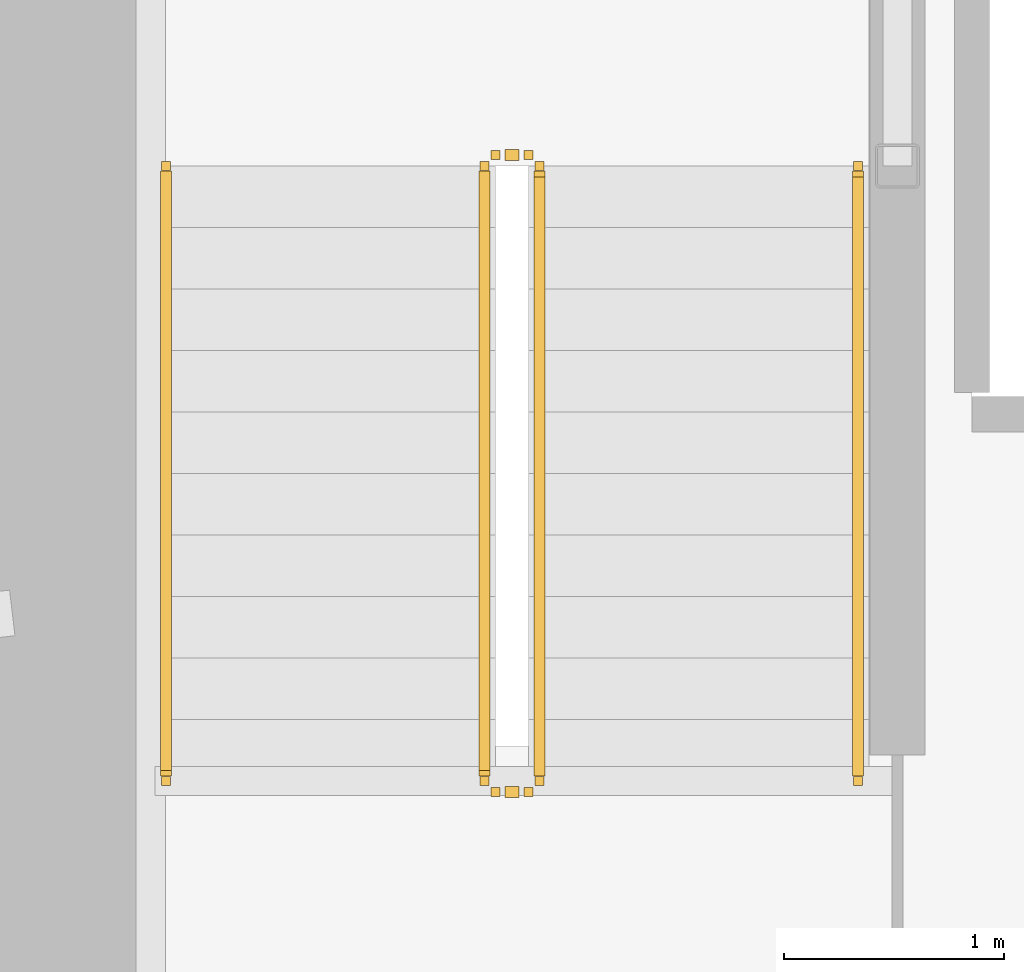
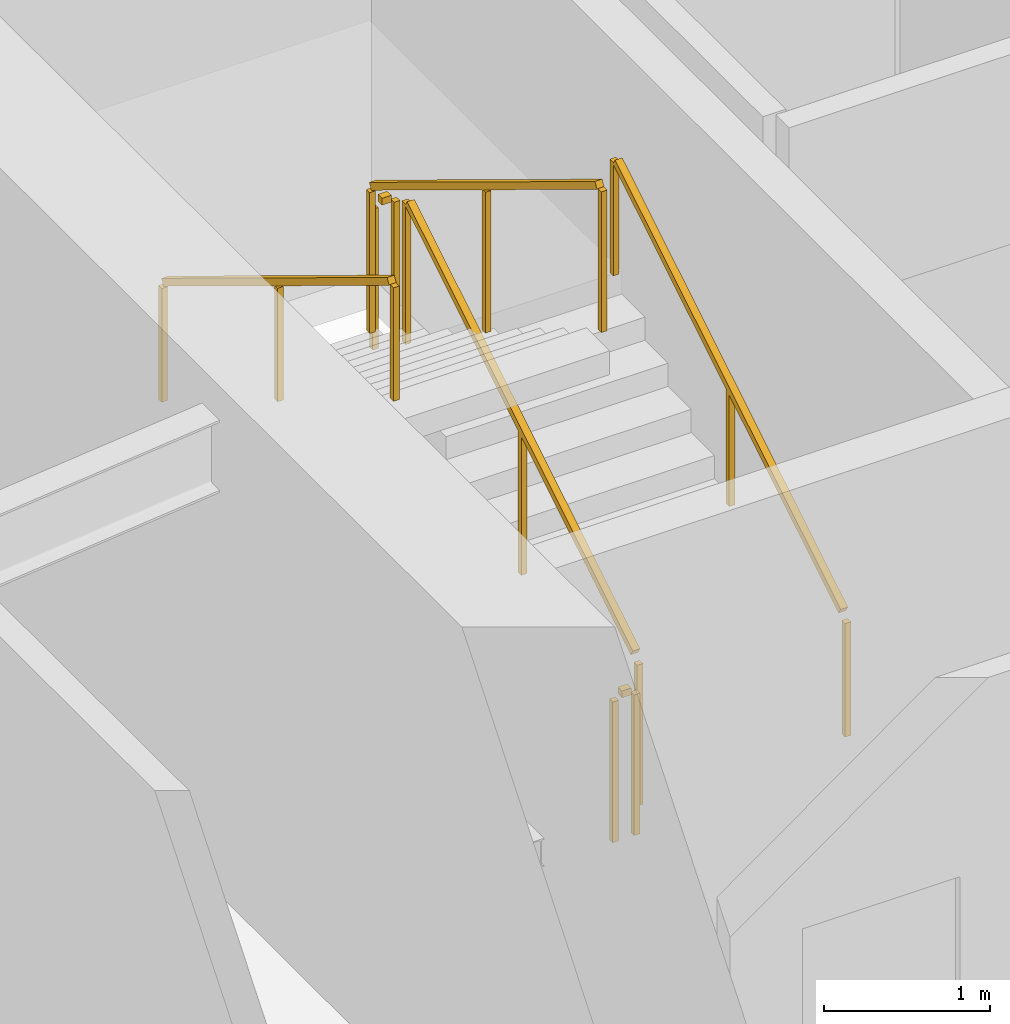
# One storey, part 18 of 23: 6 railings.
"""IFC4 building model written with IfcOpenShell, lengths in metres."""

import ifcopenshell
import ifcopenshell.guid

model = None  # the IFC model being written
_history = None  # IfcOwnerHistory: only IFC2X3 demands one
_inside = {}  # id of a spatial element -> (the spatial element, [elements in it])
_under = {}  # id of a project, library or spatial element -> (it, [spatial elements below it])
_declared = {}  # id of a project -> (the project, [libraries it declares])
_typed = {}  # id of a type object -> (the type object, [elements of that type])
_made_of = {}  # id of a material, layer set ... -> (it, [elements and type objects made of it])


def new_model(schema):
    """Start an empty IFC model of exactly this schema.

    Asked for "IFC4X3", IfcOpenShell would pick the latest addendum, in which some entities
    have other attributes; the version numbers below select the first issue.
    IFC2X3 requires an IfcOwnerHistory on every rooted entity: one is made here for all.
    """
    global model, _history
    if schema == "IFC4X3":
        model = ifcopenshell.file(schema_version=(4, 3, 0, 0))
    else:
        model = ifcopenshell.file(schema=schema)
    _inside.clear()
    _under.clear()
    _declared.clear()
    _typed.clear()
    _made_of.clear()
    _history = None
    if model.schema == "IFC2X3":
        org = make("IfcOrganization", Name="unknown")
        user = make(
            "IfcPersonAndOrganization",
            ThePerson=make("IfcPerson", FamilyName="unknown"),
            TheOrganization=org,
        )
        app = make(
            "IfcApplication",
            ApplicationDeveloper=org,
            Version="unknown",
            ApplicationFullName="unknown",
            ApplicationIdentifier="unknown",
        )
        _history = make(
            "IfcOwnerHistory",
            OwningUser=user,
            OwningApplication=app,
            ChangeAction="ADDED",
            CreationDate=0,
        )
    return model


def make(cls, **values):
    """One entity of the class cls with the attributes given. An attribute that is None is left unset."""
    return model.create_entity(
        cls, **{name: value for name, value in values.items() if value is not None}
    )


def rooted(cls, **values):
    """An entity with a GlobalId (a new one), such as an element, a storey or a relation."""
    return make(cls, GlobalId=ifcopenshell.guid.new(), OwnerHistory=_history, **values)


def si_unit(unit_type, name, prefix=None):
    """IfcSIUnit, for example si_unit("LENGTHUNIT", "METRE", prefix="MILLI")."""
    return make("IfcSIUnit", UnitType=unit_type, Prefix=prefix, Name=name)


def assignment(units):
    """IfcUnitAssignment: the units of a project."""
    return None if units is None else make("IfcUnitAssignment", Units=units)


def point(xyz):
    """IfcCartesianPoint."""
    return None if xyz is None else make("IfcCartesianPoint", Coordinates=xyz)


def direction(xyz):
    """IfcDirection."""
    return None if xyz is None else make("IfcDirection", DirectionRatios=xyz)


def frame(location, z_axis=None, x_axis=None):
    """IfcAxis2Placement3D, a coordinate frame: its origin and axes. An axis left out is left unset."""
    return make(
        "IfcAxis2Placement3D",
        Location=point(location),
        Axis=direction(z_axis),
        RefDirection=direction(x_axis),
    )


def frame_2d(location, x_axis=None):
    """IfcAxis2Placement2D, a coordinate frame in the plane: its origin and x axis."""
    return make(
        "IfcAxis2Placement2D", Location=point(location), RefDirection=direction(x_axis)
    )


def origin():
    """The frame at (0, 0, 0) with its axes left unset."""
    return frame((0.0, 0.0, 0.0))


def origin_2d():
    """The frame at (0, 0) in the plane with its x axis left unset."""
    return frame_2d((0.0, 0.0))


def place(relative_to, where):
    """IfcLocalPlacement: puts the frame where relative to a parent placement (None: the world)."""
    return make(
        "IfcLocalPlacement", PlacementRelTo=relative_to, RelativePlacement=where
    )


def context(
    kind, dimensions, precision=None, world=None, true_north=None, identifier=None
):
    """IfcGeometricRepresentationContext, for example the 3D "Model" context."""
    return make(
        "IfcGeometricRepresentationContext",
        ContextIdentifier=identifier,
        ContextType=kind,
        CoordinateSpaceDimension=dimensions,
        Precision=precision,
        WorldCoordinateSystem=world,
        TrueNorth=true_north,
    )


def subcontext(parent, identifier, kind, view, scale=None):
    """IfcGeometricRepresentationSubContext, for example "Body" below "Model"."""
    return make(
        "IfcGeometricRepresentationSubContext",
        ContextIdentifier=identifier,
        ContextType=kind,
        ParentContext=parent,
        TargetScale=scale,
        TargetView=view,
    )


def project(units=None, contexts=None):
    """IfcProject with its units and contexts."""
    return rooted(
        "IfcProject",
        Name="project",
        RepresentationContexts=contexts,
        UnitsInContext=assignment(units),
    )


def spatial(cls, under=None, at=None, **own):
    """A site, building, storey or space (cls), placed at a placement, below another one or the project."""
    s = rooted(cls, ObjectPlacement=at, **own)
    if under is not None:
        _under.setdefault(under.id(), (under, []))[1].append(s)
    return s


def profile(cls, at=None, kind="AREA", **sizes):
    """A parametric profile (cls). Its sizes go by their IFC names, for example OverallWidth=200.0."""
    return make(cls, ProfileType=kind, Position=at, **sizes)


def rectangle(**sizes):
    """IfcRectangleProfileDef."""
    return profile("IfcRectangleProfileDef", **sizes)


def extrude(swept, where, along, depth):
    """IfcExtrudedAreaSolid: the profile swept, set in the frame where, extruded along a direction by depth."""
    return make(
        "IfcExtrudedAreaSolid",
        SweptArea=swept,
        Position=where,
        ExtrudedDirection=direction(along),
        Depth=depth,
    )


def shape(context_of_items, identifier, shape_type, items):
    """IfcShapeRepresentation: the items that make up one representation, for example the "Body"."""
    return make(
        "IfcShapeRepresentation",
        ContextOfItems=context_of_items,
        RepresentationIdentifier=identifier,
        RepresentationType=shape_type,
        Items=items,
    )


def material(Name=None, Category=None):
    """IfcMaterial."""
    return make("IfcMaterial", Name=Name, Category=Category)


def made_of(thing, what):
    """Note that an element or type object is made of a material, layer set ...; save() writes the relation."""
    if what is not None:
        _made_of.setdefault(what.id(), (what, []))[1].append(thing)
    return thing


def type_object(cls, material=None, **own):
    """A type object (cls), such as IfcWallType, which elements share."""
    return made_of(rooted(cls, **own), material)


def element(
    cls,
    number,
    at=None,
    inside=None,
    cuts=None,
    type_object=None,
    material=None,
    context=None,
    identifier="Body",
    shape_type=None,
    held_by="IfcProductDefinitionShape",
    body=None,
    shapes=None,
    **own,
):
    """One element of the class cls, such as IfcWall. Its Tag is "e" and its number.

    at: its placement. inside: the storey or other place that contains it. cuts: it is an
    opening in that element (IfcRelVoidsElement). A single representation is given by context,
    identifier, shape_type and body (its items); several are given by shapes. held_by: the class
    of the entity that holds the representations. save() writes the other relations.
    """
    e = rooted(cls, Tag="e%d" % number, ObjectPlacement=at, **own)
    if body is not None:
        shapes = [shape(context, identifier, shape_type, body)]
    if shapes is not None:
        e.Representation = make(held_by, Representations=shapes)
    if inside is not None:
        _inside.setdefault(inside.id(), (inside, []))[1].append(e)
    if cuts is not None:
        rooted(
            "IfcRelVoidsElement", RelatingBuildingElement=cuts, RelatedOpeningElement=e
        )
    if type_object is not None:
        _typed.setdefault(type_object.id(), (type_object, []))[1].append(e)
    return made_of(e, material)


def aggregate(whole, parts):
    """IfcRelAggregates: a whole, such as a stair, and the parts it consists of."""
    return rooted("IfcRelAggregates", RelatingObject=whole, RelatedObjects=parts)


def save(model, path):
    """Write the relations noted so far, then the file.

    IfcRelAggregates (storeys below a building ...), IfcRelContainedInSpatialStructure (elements
    in a storey), IfcRelDefinesByType, IfcRelAssociatesMaterial and IfcRelDeclares: one each for
    every whole, place, type object, material and project.
    """
    for whole, parts in _under.values():
        aggregate(whole, parts)
    for where, things in _inside.values():
        rooted(
            "IfcRelContainedInSpatialStructure",
            RelatedElements=things,
            RelatingStructure=where,
        )
    for kind, things in _typed.values():
        rooted("IfcRelDefinesByType", RelatedObjects=things, RelatingType=kind)
    for what, things in _made_of.values():
        rooted("IfcRelAssociatesMaterial", RelatedObjects=things, RelatingMaterial=what)
    for by, libraries in _declared.values():
        rooted("IfcRelDeclares", RelatingContext=by, RelatedDefinitions=libraries)
    model.write(path)


model = new_model("IFC4")

# Units and contexts
model_context = context("Model", 3, precision=1e-05, world=origin(), true_north=direction((0.0, 1.0)))
body_context = subcontext(model_context, "Body", "Model", "MODEL_VIEW")
ifc_project = project(units=[si_unit("LENGTHUNIT", "METRE"), si_unit("AREAUNIT", "SQUARE_METRE"), si_unit("VOLUMEUNIT", "CUBIC_METRE"), si_unit("PLANEANGLEUNIT", "RADIAN"), si_unit("MASSUNIT", "GRAM", prefix="KILO")], contexts=[model_context])

# Site, building, storey
site_placement = place(None, origin())
site = spatial("IfcSite", under=ifc_project, at=site_placement, CompositionType="ELEMENT")
building_placement = place(site_placement, origin())
building = spatial("IfcBuilding", under=site, at=building_placement, Name="Kazma Halo Residences", CompositionType="ELEMENT")
storey_placement = place(building_placement, frame((0.0, 0.0, 105.14990234375)))
storey = spatial("IfcBuildingStorey", under=building, at=storey_placement, Name="L26", CompositionType="ELEMENT", Elevation=105.14990234375)

# Railings
ifc_material_1 = material(Name="Painted Steel S355", Category="steel")
railing_type_1 = type_object("IfcRailingType", Name="RLG-STAIR-GRD-1100", PredefinedType="GUARDRAIL", material=ifc_material_1)
railing_1_placement = place(storey_placement, frame((39.550048828125, 39.949951171875, 0.170654296875)))
element("IfcRailing", 1, at=railing_1_placement, inside=storey, type_object=railing_type_1, Name="L26 ST-01 stair guard 1", PredefinedType="GUARDRAIL", context=body_context, shape_type="SweptSolid", body=[
    extrude(rectangle(XDim=0.050048828125, YDim=0.050048828125, at=origin_2d()), frame((0.0, 0.036376953125, 1.09716796875), z_axis=(0.0, 0.854202870247, 0.519939858505), x_axis=(-1.0, 0.0, 0.0)), (0.0, 0.0, 1.0), 3.19287109375),
    extrude(rectangle(XDim=0.0400390625, YDim=0.0400390625, at=origin_2d()), origin(), (0.0, 0.0, 1.0), 1.0380859375),
    extrude(rectangle(XDim=0.0400390625, YDim=0.0400390625, at=origin_2d()), frame((0.0, 1.39990234375, 0.85205078125)), (0.0, 0.0, 1.0), 1.0380859375),
    extrude(rectangle(XDim=0.0400390625, YDim=0.0400390625, at=origin_2d()), frame((0.0, 2.800048828125, 1.704345703125)), (0.0, 0.0, 1.0), 1.0380859375),
])
railing_2_placement = place(storey_placement, frame((39.5, 42.800048828125, 1.875)))
element("IfcRailing", 2, at=railing_2_placement, inside=storey, type_object=railing_type_1, Name="L26 ST-01 stair guard 2", PredefinedType="GUARDRAIL", context=body_context, shape_type="SweptSolid", body=[
    extrude(rectangle(XDim=0.050048828125, YDim=0.050048828125, at=origin_2d()), frame((-0.04248046875, 0.0, 1.0751953125), z_axis=(-1.0, 0.0, 0.0), x_axis=(0.0, -1.0, 0.0)), (0.0, 0.0, 1.0), 0.06494140625),
    extrude(rectangle(XDim=0.0400390625, YDim=0.0400390625, at=origin_2d()), origin(), (0.0, 0.0, 1.0), 1.0380859375),
    extrude(rectangle(XDim=0.0400390625, YDim=0.0400390625, at=origin_2d()), frame((-0.14990234375, 0.0, 0.0)), (0.0, 0.0, 1.0), 1.0380859375),
])
railing_3_placement = place(storey_placement, frame((39.300048828125, 42.75, 2.045654296875)))
element("IfcRailing", 3, at=railing_3_placement, inside=storey, type_object=railing_type_1, Name="L26 ST-01 stair guard 3", PredefinedType="GUARDRAIL", context=body_context, shape_type="SweptSolid", body=[
    extrude(rectangle(XDim=0.050048828125, YDim=0.050048828125, at=origin_2d()), frame((0.0, -0.036376953125, 1.09716796875), z_axis=(0.0, -0.854202870247, 0.519939858505), x_axis=(1.0, 0.0, 0.0)), (0.0, 0.0, 1.0), 3.19287109375),
    extrude(rectangle(XDim=0.0400390625, YDim=0.0400390625, at=origin_2d()), origin(), (0.0, 0.0, 1.0), 1.0380859375),
    extrude(rectangle(XDim=0.0400390625, YDim=0.0400390625, at=origin_2d()), frame((0.0, -1.39990234375, 0.85205078125)), (0.0, 0.0, 1.0), 1.0380859375),
    extrude(rectangle(XDim=0.0400390625, YDim=0.0400390625, at=origin_2d()), frame((0.0, -2.800048828125, 1.704345703125)), (0.0, 0.0, 1.0), 1.0380859375),
])
railing_4_placement = place(storey_placement, frame((39.5, 39.89990234375, 0.0)))
element("IfcRailing", 4, at=railing_4_placement, inside=storey, type_object=railing_type_1, Name="L26 ST-01 stair guard 4", PredefinedType="GUARDRAIL", context=body_context, shape_type="SweptSolid", body=[
    extrude(rectangle(XDim=0.050048828125, YDim=0.050048828125, at=origin_2d()), frame((-0.04248046875, 0.0, 1.0751953125), z_axis=(-1.0, 0.0, 0.0), x_axis=(0.0, -1.0, 0.0)), (0.0, 0.0, 1.0), 0.06494140625),
    extrude(rectangle(XDim=0.0400390625, YDim=0.0400390625, at=origin_2d()), origin(), (0.0, 0.0, 1.0), 1.0380859375),
    extrude(rectangle(XDim=0.0400390625, YDim=0.0400390625, at=origin_2d()), frame((-0.14990234375, 0.0, 0.0)), (0.0, 0.0, 1.0), 1.0380859375),
])
ifc_material_2 = material(Name="Brushed Stainless Steel", Category="steel")
railing_type_2 = type_object("IfcRailingType", Name="RLG-STAIR-HND-900", PredefinedType="HANDRAIL", material=ifc_material_2)
railing_5_placement = place(storey_placement, frame((41.0, 39.949951171875, 0.170654296875)))
element("IfcRailing", 5, at=railing_5_placement, inside=storey, type_object=railing_type_2, Name="L26 ST-01 stair handrail 1", PredefinedType="HANDRAIL", context=body_context, shape_type="SweptSolid", body=[
    extrude(rectangle(XDim=0.050048828125, YDim=0.050048828125, at=origin_2d()), frame((0.0, 0.036376953125, 0.89697265625), z_axis=(0.0, 0.854202870247, 0.519939858505), x_axis=(-1.0, 0.0, 0.0)), (0.0, 0.0, 1.0), 3.19287109375),
    extrude(rectangle(XDim=0.0400390625, YDim=0.0400390625, at=origin_2d()), origin(), (0.0, 0.0, 1.0), 0.837890625),
    extrude(rectangle(XDim=0.0400390625, YDim=0.0400390625, at=origin_2d()), frame((0.0, 1.39990234375, 0.85205078125)), (0.0, 0.0, 1.0), 0.837890625),
    extrude(rectangle(XDim=0.0400390625, YDim=0.0400390625, at=origin_2d()), frame((0.0, 2.800048828125, 1.704345703125)), (0.0, 0.0, 1.0), 0.837890625),
])
railing_6_placement = place(storey_placement, frame((37.85009765625, 42.75, 2.045654296875)))
element("IfcRailing", 6, at=railing_6_placement, inside=storey, type_object=railing_type_2, Name="L26 ST-01 stair handrail 2", PredefinedType="HANDRAIL", context=body_context, shape_type="SweptSolid", body=[
    extrude(rectangle(XDim=0.050048828125, YDim=0.050048828125, at=origin_2d()), frame((0.0, -0.036376953125, 0.89697265625), z_axis=(0.0, -0.854202870247, 0.519939858505), x_axis=(1.0, 0.0, 0.0)), (0.0, 0.0, 1.0), 3.19287109375),
    extrude(rectangle(XDim=0.0400390625, YDim=0.0400390625, at=origin_2d()), origin(), (0.0, 0.0, 1.0), 0.837890625),
    extrude(rectangle(XDim=0.0400390625, YDim=0.0400390625, at=origin_2d()), frame((0.0, -1.39990234375, 0.85205078125)), (0.0, 0.0, 1.0), 0.837890625),
    extrude(rectangle(XDim=0.0400390625, YDim=0.0400390625, at=origin_2d()), frame((0.0, -2.800048828125, 1.704345703125)), (0.0, 0.0, 1.0), 0.837890625),
])

save(model, "model.ifc")
